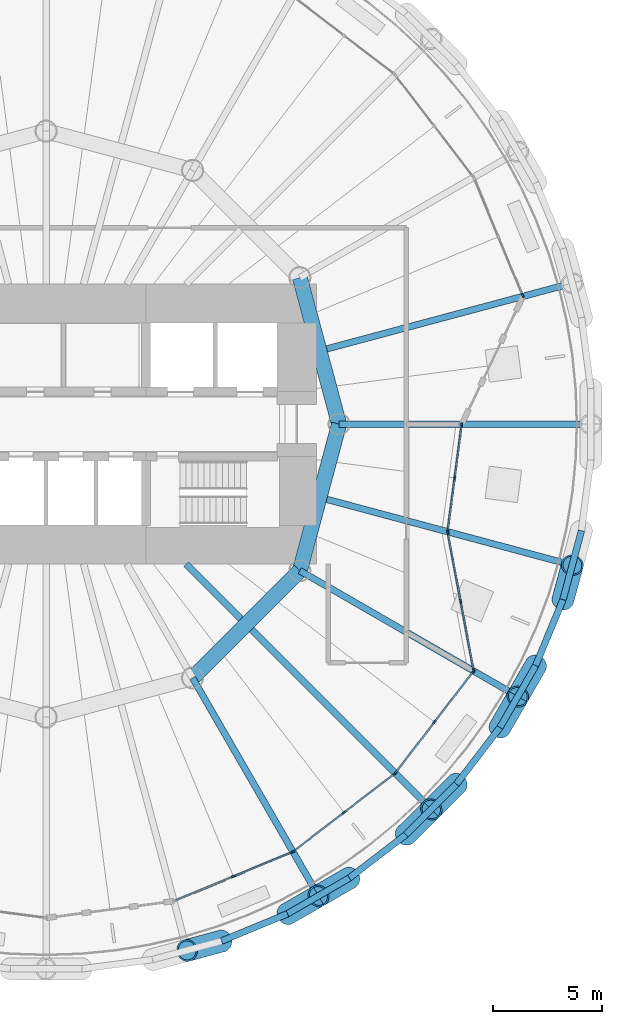
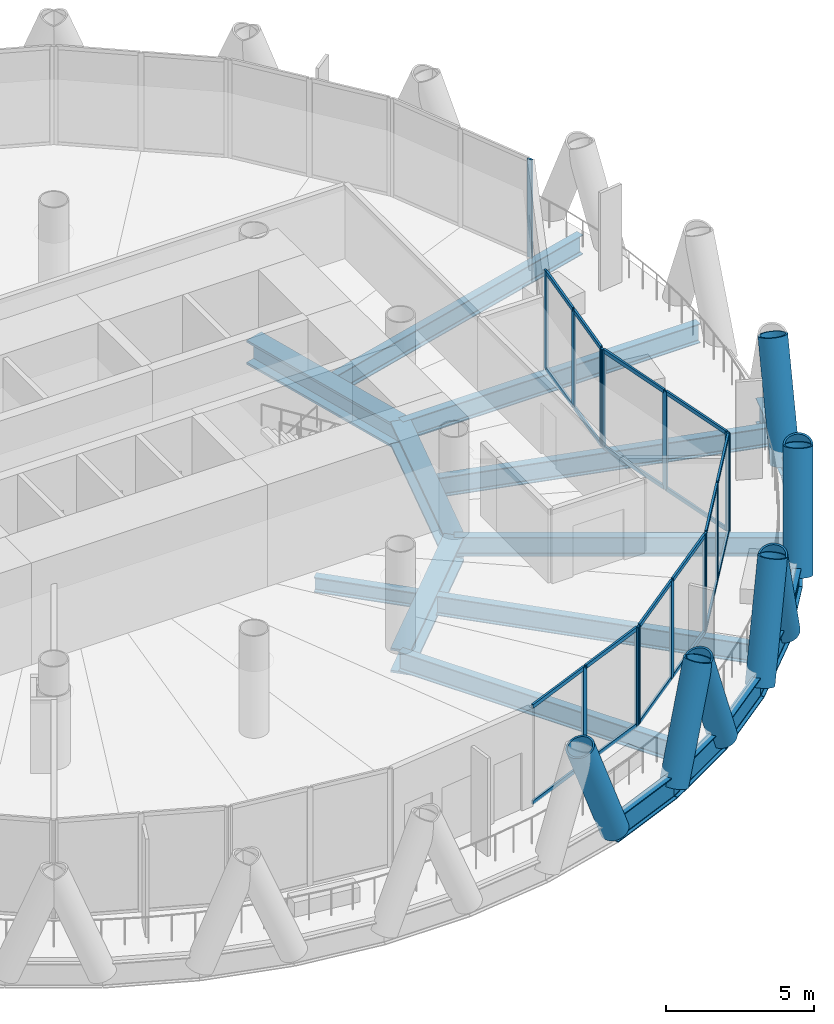
# One storey, part 4 of 15: 43 members, 18 beams, 6 elements without a shape of their own.
"""IFC4 building model written with IfcOpenShell, lengths in metres."""

from ifc_helpers import new_model, si_unit, direction, frame, origin, origin_2d, place, context, subcontext, project, spatial, rectangle, hollow_circle, i_section, extrude, material, material_profile, profile_set, type_object, element, aggregate, save


model = new_model("IFC4")

# Units and contexts
model_context = context("Model", 3, precision=1e-05, world=origin(), true_north=direction((0.0, 1.0)))
body_context = subcontext(model_context, "Body", "Model", "MODEL_VIEW")
ifc_project = project(units=[si_unit("LENGTHUNIT", "METRE"), si_unit("AREAUNIT", "SQUARE_METRE"), si_unit("VOLUMEUNIT", "CUBIC_METRE"), si_unit("PLANEANGLEUNIT", "RADIAN"), si_unit("MASSUNIT", "GRAM", prefix="KILO")], contexts=[model_context])

# Site, building, storey
site_placement = place(None, origin())
site = spatial("IfcSite", under=ifc_project, at=site_placement, CompositionType="ELEMENT")
building_placement = place(site_placement, origin())
building = spatial("IfcBuilding", under=site, at=building_placement, Name="Qaws Media Tower", CompositionType="ELEMENT")
storey_placement = place(building_placement, frame((0.0, 0.0, 122.60009765625)))
storey = spatial("IfcBuildingStorey", under=building, at=storey_placement, Name="L27", CompositionType="ELEMENT", Elevation=122.60009765625)

# Curtain wall, member
ifc_material_1 = material(Name="Aluminium and clear glass", Category="aluminium")
curtain_wall_type_1 = type_object("IfcCurtainWallType", Name="Unitised curtain wall CW-B", PredefinedType="NOTDEFINED", material=ifc_material_1)
curtain_wall_1_placement = place(storey_placement, origin())
curtain_wall_1 = element("IfcCurtainWall", 1, at=curtain_wall_1_placement, inside=storey, type_object=curtain_wall_type_1, Name="CWB curtain wall L27-02", PredefinedType="NOTDEFINED")
ifc_material_2 = material(Name="Aluminium mullion", Category="aluminium")
ifc_material_profile_1 = material_profile(ifc_material_2, rectangle(XDim=0.080078125, YDim=0.199951171875, at=origin_2d()), Name="80x200")
ifc_profile_set_1 = profile_set([ifc_material_profile_1], Name="Aluminium mullion")
member_type_1 = type_object("IfcMemberType", Name="Curtain wall mullion 80x200", PredefinedType="MULLION", material=ifc_profile_set_1)
member_1_placement = place(storey_placement, frame((81.95947265625, 55.925048828125, 0.0), z_axis=(0.0, 0.0, 1.0), x_axis=(-0.923879516221, -0.382683471693, 0.0)))
member_1 = element("IfcMember", 2, at=member_1_placement, type_object=member_type_1, Name="CWB mullion 1", PredefinedType="MULLION", context=body_context, shape_type="SweptSolid", body=[
    extrude(rectangle(XDim=0.080078125, YDim=0.199951171875, at=origin_2d()), origin(), (0.0, 0.0, 1.0), 4.039794921875),
])
aggregate(curtain_wall_1, [member_1])

# Curtain wall, members
curtain_wall_2_placement = place(storey_placement, origin())
curtain_wall_2 = element("IfcCurtainWall", 3, at=curtain_wall_2_placement, inside=storey, type_object=curtain_wall_type_1, Name="CWB curtain wall L27-20", PredefinedType="NOTDEFINED")
member_2_placement = place(storey_placement, frame((68.631591796875, 29.16162109375, 0.0), z_axis=(0.0, 0.0, 1.0), x_axis=(-0.382683471693, 0.923879516221, 0.0)))
member_2 = element("IfcMember", 4, at=member_2_placement, type_object=member_type_1, Name="CWB mullion 2", PredefinedType="MULLION", context=body_context, shape_type="SweptSolid", body=[
    extrude(rectangle(XDim=0.080078125, YDim=0.199951171875, at=origin_2d()), origin(), (0.0, 0.0, 1.0), 4.039794921875),
])
member_3_placement = place(storey_placement, frame((71.338134765625, 30.28271484375, 0.0), z_axis=(0.0, 0.0, 1.0), x_axis=(-0.382683471693, 0.923879516221, 0.0)))
member_3 = element("IfcMember", 5, at=member_3_placement, type_object=member_type_1, Name="CWB mullion 3", PredefinedType="MULLION", context=body_context, shape_type="SweptSolid", body=[
    extrude(rectangle(XDim=0.080078125, YDim=0.199951171875, at=origin_2d()), origin(), (0.0, 0.0, 1.0), 4.039794921875),
])

curtain_wall_3_placement = place(storey_placement, origin())
curtain_wall_3 = element("IfcCurtainWall", 6, at=curtain_wall_3_placement, inside=storey, type_object=curtain_wall_type_1, Name="CWB curtain wall L27-21", PredefinedType="NOTDEFINED")
member_4_placement = place(storey_placement, frame((71.40673828125, 30.322265625, 0.0), z_axis=(0.0, 0.0, 1.0), x_axis=(-0.608761486721, 0.793353296007, 0.0)))
member_4 = element("IfcMember", 7, at=member_4_placement, type_object=member_type_1, Name="CWB mullion 1", PredefinedType="MULLION", context=body_context, shape_type="SweptSolid", body=[
    extrude(rectangle(XDim=0.080078125, YDim=0.199951171875, at=origin_2d()), origin(), (0.0, 0.0, 1.0), 4.039794921875),
])
member_5_placement = place(storey_placement, frame((73.73095703125, 32.105712890625, 0.0), z_axis=(0.0, 0.0, 1.0), x_axis=(-0.608761486721, 0.793353296007, 0.0)))
member_5 = element("IfcMember", 8, at=member_5_placement, type_object=member_type_1, Name="CWB mullion 2", PredefinedType="MULLION", context=body_context, shape_type="SweptSolid", body=[
    extrude(rectangle(XDim=0.080078125, YDim=0.199951171875, at=origin_2d()), origin(), (0.0, 0.0, 1.0), 4.039794921875),
])
member_6_placement = place(storey_placement, frame((76.054931640625, 33.888916015625, 0.0), z_axis=(0.0, 0.0, 1.0), x_axis=(-0.608761486721, 0.793353296007, 0.0)))
member_6 = element("IfcMember", 9, at=member_6_placement, type_object=member_type_1, Name="CWB mullion 3", PredefinedType="MULLION", context=body_context, shape_type="SweptSolid", body=[
    extrude(rectangle(XDim=0.080078125, YDim=0.199951171875, at=origin_2d()), origin(), (0.0, 0.0, 1.0), 4.039794921875),
])

curtain_wall_4_placement = place(storey_placement, origin())
curtain_wall_4 = element("IfcCurtainWall", 10, at=curtain_wall_4_placement, inside=storey, type_object=curtain_wall_type_1, Name="CWB curtain wall L27-22", PredefinedType="NOTDEFINED")
member_7_placement = place(storey_placement, frame((76.111083984375, 33.945068359375, 0.0), z_axis=(0.0, 0.0, 1.0), x_axis=(-0.793353296007, 0.608761486721, 0.0)))
member_7 = element("IfcMember", 11, at=member_7_placement, type_object=member_type_1, Name="CWB mullion 1", PredefinedType="MULLION", context=body_context, shape_type="SweptSolid", body=[
    extrude(rectangle(XDim=0.080078125, YDim=0.199951171875, at=origin_2d()), origin(), (0.0, 0.0, 1.0), 4.039794921875),
])
member_8_placement = place(storey_placement, frame((77.894287109375, 36.26904296875, 0.0), z_axis=(0.0, 0.0, 1.0), x_axis=(-0.793353296007, 0.608761486721, 0.0)))
member_8 = element("IfcMember", 12, at=member_8_placement, type_object=member_type_1, Name="CWB mullion 2", PredefinedType="MULLION", context=body_context, shape_type="SweptSolid", body=[
    extrude(rectangle(XDim=0.080078125, YDim=0.199951171875, at=origin_2d()), origin(), (0.0, 0.0, 1.0), 4.039794921875),
])
member_9_placement = place(storey_placement, frame((79.677734375, 38.59326171875, 0.0), z_axis=(0.0, 0.0, 1.0), x_axis=(-0.793353296007, 0.608761486721, 0.0)))
member_9 = element("IfcMember", 13, at=member_9_placement, type_object=member_type_1, Name="CWB mullion 3", PredefinedType="MULLION", context=body_context, shape_type="SweptSolid", body=[
    extrude(rectangle(XDim=0.080078125, YDim=0.199951171875, at=origin_2d()), origin(), (0.0, 0.0, 1.0), 4.039794921875),
])

ifc_material_3 = material(Name="Aluminium and clear glass", Category="aluminium")
curtain_wall_type_2 = type_object("IfcCurtainWallType", Name="Loggia curtain wall CW-G", PredefinedType="NOTDEFINED", material=ifc_material_3)
curtain_wall_5_placement = place(storey_placement, origin())
curtain_wall_5 = element("IfcCurtainWall", 14, at=curtain_wall_5_placement, inside=storey, type_object=curtain_wall_type_2, Name="CWG curtain wall L27-23", PredefinedType="NOTDEFINED")
member_10_placement = place(storey_placement, frame((79.694580078125, 38.664306640625, 0.0), z_axis=(0.0, 0.0, 1.0), x_axis=(-0.982841450903, -0.184452385146, 0.0)))
member_10 = element("IfcMember", 15, at=member_10_placement, type_object=member_type_1, Name="CWG mullion 1", PredefinedType="MULLION", context=body_context, shape_type="SweptSolid", body=[
    extrude(rectangle(XDim=0.080078125, YDim=0.199951171875, at=origin_2d()), origin(), (0.0, 0.0, 1.0), 4.039794921875),
])
member_11_placement = place(storey_placement, frame((79.099853515625, 41.834228515625, 0.0), z_axis=(0.0, 0.0, 1.0), x_axis=(-0.982841450903, -0.184452385146, 0.0)))
member_11 = element("IfcMember", 16, at=member_11_placement, type_object=member_type_1, Name="CWG mullion 2", PredefinedType="MULLION", context=body_context, shape_type="SweptSolid", body=[
    extrude(rectangle(XDim=0.080078125, YDim=0.199951171875, at=origin_2d()), origin(), (0.0, 0.0, 1.0), 4.039794921875),
])
member_12_placement = place(storey_placement, frame((78.5048828125, 45.00439453125, 0.0), z_axis=(0.0, 0.0, 1.0), x_axis=(-0.982841450903, -0.184452385146, 0.0)))
member_12 = element("IfcMember", 17, at=member_12_placement, type_object=member_type_1, Name="CWG mullion 3", PredefinedType="MULLION", context=body_context, shape_type="SweptSolid", body=[
    extrude(rectangle(XDim=0.080078125, YDim=0.199951171875, at=origin_2d()), origin(), (0.0, 0.0, 1.0), 4.039794921875),
])

curtain_wall_6_placement = place(storey_placement, origin())
curtain_wall_6 = element("IfcCurtainWall", 18, at=curtain_wall_6_placement, inside=storey, type_object=curtain_wall_type_2, Name="CWG curtain wall L27-24", PredefinedType="NOTDEFINED")
member_13_placement = place(storey_placement, frame((78.502685546875, 45.083251953125, 0.0), z_axis=(0.0, 0.0, 1.0), x_axis=(-0.991444873391, 0.130526100942, 0.0)))
member_13 = element("IfcMember", 19, at=member_13_placement, type_object=member_type_1, Name="CWG mullion 1", PredefinedType="MULLION", context=body_context, shape_type="SweptSolid", body=[
    extrude(rectangle(XDim=0.080078125, YDim=0.199951171875, at=origin_2d()), origin(), (0.0, 0.0, 1.0), 4.039794921875),
])
member_14_placement = place(storey_placement, frame((78.82373046875, 47.521728515625, 0.0), z_axis=(0.0, 0.0, 1.0), x_axis=(-0.991444873391, 0.130526100942, 0.0)))
member_14 = element("IfcMember", 20, at=member_14_placement, type_object=member_type_1, Name="CWG mullion 2", PredefinedType="MULLION", context=body_context, shape_type="SweptSolid", body=[
    extrude(rectangle(XDim=0.080078125, YDim=0.199951171875, at=origin_2d()), origin(), (0.0, 0.0, 1.0), 4.039794921875),
])
member_15_placement = place(storey_placement, frame((79.144775390625, 49.96044921875, 0.0), z_axis=(0.0, 0.0, 1.0), x_axis=(-0.991444873391, 0.130526100942, 0.0)))
member_15 = element("IfcMember", 21, at=member_15_placement, type_object=member_type_1, Name="CWG mullion 3", PredefinedType="MULLION", context=body_context, shape_type="SweptSolid", body=[
    extrude(rectangle(XDim=0.080078125, YDim=0.199951171875, at=origin_2d()), origin(), (0.0, 0.0, 1.0), 4.039794921875),
])

# Member
ifc_material_4 = material(Name="Aluminium transom", Category="aluminium")
ifc_material_profile_2 = material_profile(ifc_material_4, rectangle(XDim=0.080078125, YDim=0.159912109375, at=origin_2d()), Name="80x160")
ifc_profile_set_2 = profile_set([ifc_material_profile_2], Name="Aluminium transom")
member_type_2 = type_object("IfcMemberType", Name="Curtain wall transom 80x160", PredefinedType="USERDEFINED", material=ifc_profile_set_2)
member_16_placement = place(storey_placement, frame((65.962158203125, 28.055908203125, 0.039794921875), z_axis=(0.923893613217, 0.382649436764, 0.0), x_axis=(-0.382649436764, 0.923893613217, 0.0)))
member_16 = element("IfcMember", 22, at=member_16_placement, type_object=member_type_2, Name="CWB transom 1.1", ObjectType="TRANSOM", PredefinedType="USERDEFINED", context=body_context, shape_type="SweptSolid", body=[
    extrude(rectangle(XDim=0.080078125, YDim=0.159912109375, at=origin_2d()), origin(), (0.0, 0.0, 1.0), 2.849365234375),
])

member_17_placement = place(storey_placement, frame((65.962158203125, 28.055908203125, 4.0), z_axis=(0.923893613217, 0.382649436764, 0.0), x_axis=(-0.382649436764, 0.923893613217, 0.0)))
member_17 = element("IfcMember", 23, at=member_17_placement, type_object=member_type_2, Name="CWB transom 1.2", ObjectType="TRANSOM", PredefinedType="USERDEFINED", context=body_context, shape_type="SweptSolid", body=[
    extrude(rectangle(XDim=0.080078125, YDim=0.159912109375, at=origin_2d()), origin(), (0.0, 0.0, 1.0), 2.849365234375),
])

member_18_placement = place(storey_placement, frame((68.66845703125, 29.1767578125, 0.039794921875), z_axis=(0.923863320889, 0.38272256834, 0.0), x_axis=(-0.38272256834, 0.923863320889, 0.0)))
member_18 = element("IfcMember", 24, at=member_18_placement, type_object=member_type_2, Name="CWB transom 2.1", ObjectType="TRANSOM", PredefinedType="USERDEFINED", context=body_context, shape_type="SweptSolid", body=[
    extrude(rectangle(XDim=0.080078125, YDim=0.159912109375, at=origin_2d()), origin(), (0.0, 0.0, 1.0), 2.849609375),
])

member_19_placement = place(storey_placement, frame((68.66845703125, 29.1767578125, 4.0), z_axis=(0.923863320889, 0.38272256834, 0.0), x_axis=(-0.38272256834, 0.923863320889, 0.0)))
member_19 = element("IfcMember", 25, at=member_19_placement, type_object=member_type_2, Name="CWB transom 2.2", ObjectType="TRANSOM", PredefinedType="USERDEFINED", context=body_context, shape_type="SweptSolid", body=[
    extrude(rectangle(XDim=0.080078125, YDim=0.159912109375, at=origin_2d()), origin(), (0.0, 0.0, 1.0), 2.849609375),
])

aggregate(curtain_wall_2, [member_2, member_3, member_16, member_17, member_18, member_19])

member_20_placement = place(storey_placement, frame((71.4384765625, 30.3466796875, 0.039794921875), z_axis=(0.79337187392, 0.608737274752, 0.0), x_axis=(-0.608737274752, 0.79337187392, 0.0)))
member_20 = element("IfcMember", 26, at=member_20_placement, type_object=member_type_2, Name="CWB transom 1.1", ObjectType="TRANSOM", PredefinedType="USERDEFINED", context=body_context, shape_type="SweptSolid", body=[
    extrude(rectangle(XDim=0.080078125, YDim=0.159912109375, at=origin_2d()), origin(), (0.0, 0.0, 1.0), 2.849609375),
])

member_21_placement = place(storey_placement, frame((71.4384765625, 30.3466796875, 4.0), z_axis=(0.79337187392, 0.608737274752, 0.0), x_axis=(-0.608737274752, 0.79337187392, 0.0)))
member_21 = element("IfcMember", 27, at=member_21_placement, type_object=member_type_2, Name="CWB transom 1.2", ObjectType="TRANSOM", PredefinedType="USERDEFINED", context=body_context, shape_type="SweptSolid", body=[
    extrude(rectangle(XDim=0.080078125, YDim=0.159912109375, at=origin_2d()), origin(), (0.0, 0.0, 1.0), 2.849609375),
])

member_22_placement = place(storey_placement, frame((73.7626953125, 32.1298828125, 0.039794921875), z_axis=(0.793340122008, 0.608778655024, 0.0), x_axis=(-0.608778655024, 0.793340122008, 0.0)))
member_22 = element("IfcMember", 28, at=member_22_placement, type_object=member_type_2, Name="CWB transom 2.1", ObjectType="TRANSOM", PredefinedType="USERDEFINED", context=body_context, shape_type="SweptSolid", body=[
    extrude(rectangle(XDim=0.080078125, YDim=0.159912109375, at=origin_2d()), origin(), (0.0, 0.0, 1.0), 2.849365234375),
])

member_23_placement = place(storey_placement, frame((73.7626953125, 32.1298828125, 4.0), z_axis=(0.793340122008, 0.608778655024, 0.0), x_axis=(-0.608778655024, 0.793340122008, 0.0)))
member_23 = element("IfcMember", 29, at=member_23_placement, type_object=member_type_2, Name="CWB transom 2.2", ObjectType="TRANSOM", PredefinedType="USERDEFINED", context=body_context, shape_type="SweptSolid", body=[
    extrude(rectangle(XDim=0.080078125, YDim=0.159912109375, at=origin_2d()), origin(), (0.0, 0.0, 1.0), 2.849365234375),
])

aggregate(curtain_wall_3, [member_4, member_5, member_6, member_20, member_21, member_22, member_23])

member_24_placement = place(storey_placement, frame((76.135498046875, 33.976806640625, 0.039794921875), z_axis=(0.608778655024, 0.793340122008, 0.0), x_axis=(-0.793340122008, 0.608778655024, 0.0)))
member_24 = element("IfcMember", 30, at=member_24_placement, type_object=member_type_2, Name="CWB transom 1.1", ObjectType="TRANSOM", PredefinedType="USERDEFINED", context=body_context, shape_type="SweptSolid", body=[
    extrude(rectangle(XDim=0.080078125, YDim=0.159912109375, at=origin_2d()), origin(), (0.0, 0.0, 1.0), 2.849365234375),
])

member_25_placement = place(storey_placement, frame((76.135498046875, 33.976806640625, 4.0), z_axis=(0.608778655024, 0.793340122008, 0.0), x_axis=(-0.793340122008, 0.608778655024, 0.0)))
member_25 = element("IfcMember", 31, at=member_25_placement, type_object=member_type_2, Name="CWB transom 1.2", ObjectType="TRANSOM", PredefinedType="USERDEFINED", context=body_context, shape_type="SweptSolid", body=[
    extrude(rectangle(XDim=0.080078125, YDim=0.159912109375, at=origin_2d()), origin(), (0.0, 0.0, 1.0), 2.849365234375),
])

member_26_placement = place(storey_placement, frame((77.918701171875, 36.30078125, 0.039794921875), z_axis=(0.608737274752, 0.79337187392, 0.0), x_axis=(-0.79337187392, 0.608737274752, 0.0)))
member_26 = element("IfcMember", 32, at=member_26_placement, type_object=member_type_2, Name="CWB transom 2.1", ObjectType="TRANSOM", PredefinedType="USERDEFINED", context=body_context, shape_type="SweptSolid", body=[
    extrude(rectangle(XDim=0.080078125, YDim=0.159912109375, at=origin_2d()), origin(), (0.0, 0.0, 1.0), 2.849609375),
])

member_27_placement = place(storey_placement, frame((77.918701171875, 36.30078125, 4.0), z_axis=(0.608737274752, 0.79337187392, 0.0), x_axis=(-0.79337187392, 0.608737274752, 0.0)))
member_27 = element("IfcMember", 33, at=member_27_placement, type_object=member_type_2, Name="CWB transom 2.2", ObjectType="TRANSOM", PredefinedType="USERDEFINED", context=body_context, shape_type="SweptSolid", body=[
    extrude(rectangle(XDim=0.080078125, YDim=0.159912109375, at=origin_2d()), origin(), (0.0, 0.0, 1.0), 2.849609375),
])

aggregate(curtain_wall_4, [member_7, member_8, member_9, member_24, member_25, member_26, member_27])

member_28_placement = place(storey_placement, frame((79.687255859375, 38.70361328125, 0.039794921875), z_axis=(-0.184429130939, 0.982845814795, 0.0), x_axis=(-0.982845814795, -0.184429130939, 0.0)))
member_28 = element("IfcMember", 34, at=member_28_placement, type_object=member_type_2, Name="CWG transom 1.1", ObjectType="TRANSOM", PredefinedType="USERDEFINED", context=body_context, shape_type="SweptSolid", body=[
    extrude(rectangle(XDim=0.080078125, YDim=0.159912109375, at=origin_2d()), origin(), (0.0, 0.0, 1.0), 3.145263671875),
])

member_29_placement = place(storey_placement, frame((79.687255859375, 38.70361328125, 4.0), z_axis=(-0.184429130939, 0.982845814795, 0.0), x_axis=(-0.982845814795, -0.184429130939, 0.0)))
member_29 = element("IfcMember", 35, at=member_29_placement, type_object=member_type_2, Name="CWG transom 1.2", ObjectType="TRANSOM", PredefinedType="USERDEFINED", context=body_context, shape_type="SweptSolid", body=[
    extrude(rectangle(XDim=0.080078125, YDim=0.159912109375, at=origin_2d()), origin(), (0.0, 0.0, 1.0), 3.145263671875),
])

member_30_placement = place(storey_placement, frame((79.09228515625, 41.87353515625, 0.039794921875), z_axis=(-0.184415061867, 0.982848454726, 0.0), x_axis=(-0.982848454726, -0.184415061867, 0.0)))
member_30 = element("IfcMember", 36, at=member_30_placement, type_object=member_type_2, Name="CWG transom 2.1", ObjectType="TRANSOM", PredefinedType="USERDEFINED", context=body_context, shape_type="SweptSolid", body=[
    extrude(rectangle(XDim=0.080078125, YDim=0.159912109375, at=origin_2d()), origin(), (0.0, 0.0, 1.0), 3.1455078125),
])

member_31_placement = place(storey_placement, frame((79.09228515625, 41.87353515625, 4.0), z_axis=(-0.184415061867, 0.982848454726, 0.0), x_axis=(-0.982848454726, -0.184415061867, 0.0)))
member_31 = element("IfcMember", 37, at=member_31_placement, type_object=member_type_2, Name="CWG transom 2.2", ObjectType="TRANSOM", PredefinedType="USERDEFINED", context=body_context, shape_type="SweptSolid", body=[
    extrude(rectangle(XDim=0.080078125, YDim=0.159912109375, at=origin_2d()), origin(), (0.0, 0.0, 1.0), 3.1455078125),
])

aggregate(curtain_wall_5, [member_10, member_11, member_12, member_28, member_29, member_30, member_31])

member_32_placement = place(storey_placement, frame((78.5078125, 45.123046875, 0.039794921875), z_axis=(0.130611101477, 0.991433679159, 0.0), x_axis=(-0.991433679159, 0.130611101477, 0.0)))
member_32 = element("IfcMember", 38, at=member_32_placement, type_object=member_type_2, Name="CWG transom 1.1", ObjectType="TRANSOM", PredefinedType="USERDEFINED", context=body_context, shape_type="SweptSolid", body=[
    extrude(rectangle(XDim=0.080078125, YDim=0.159912109375, at=origin_2d()), origin(), (0.0, 0.0, 1.0), 2.37939453125),
])

member_33_placement = place(storey_placement, frame((78.5078125, 45.123046875, 4.0), z_axis=(0.130611101477, 0.991433679159, 0.0), x_axis=(-0.991433679159, 0.130611101477, 0.0)))
member_33 = element("IfcMember", 39, at=member_33_placement, type_object=member_type_2, Name="CWG transom 1.2", ObjectType="TRANSOM", PredefinedType="USERDEFINED", context=body_context, shape_type="SweptSolid", body=[
    extrude(rectangle(XDim=0.080078125, YDim=0.159912109375, at=origin_2d()), origin(), (0.0, 0.0, 1.0), 2.37939453125),
])

member_34_placement = place(storey_placement, frame((78.828857421875, 47.5615234375, 0.039794921875), z_axis=(0.130611101477, 0.991433679159, 0.0), x_axis=(-0.991433679159, 0.130611101477, 0.0)))
member_34 = element("IfcMember", 40, at=member_34_placement, type_object=member_type_2, Name="CWG transom 2.1", ObjectType="TRANSOM", PredefinedType="USERDEFINED", context=body_context, shape_type="SweptSolid", body=[
    extrude(rectangle(XDim=0.080078125, YDim=0.159912109375, at=origin_2d()), origin(), (0.0, 0.0, 1.0), 2.37939453125),
])

member_35_placement = place(storey_placement, frame((78.828857421875, 47.5615234375, 4.0), z_axis=(0.130611101477, 0.991433679159, 0.0), x_axis=(-0.991433679159, 0.130611101477, 0.0)))
member_35 = element("IfcMember", 41, at=member_35_placement, type_object=member_type_2, Name="CWG transom 2.2", ObjectType="TRANSOM", PredefinedType="USERDEFINED", context=body_context, shape_type="SweptSolid", body=[
    extrude(rectangle(XDim=0.080078125, YDim=0.159912109375, at=origin_2d()), origin(), (0.0, 0.0, 1.0), 2.37939453125),
])

aggregate(curtain_wall_6, [member_13, member_14, member_15, member_32, member_33, member_34, member_35])

# Members
ifc_material_5 = material(Name="Steel S460", Category="steel")
ifc_material_profile_3 = material_profile(ifc_material_5, hollow_circle(Radius=0.508056640625, WallThickness=0.070068359375, at=origin_2d()), Name="CHS 1016x70")
ifc_profile_set_3 = profile_set([ifc_material_profile_3], Name="Steel S460")
member_type_3 = type_object("IfcMemberType", Name="Diagrid member CHS 1016x70", PredefinedType="USERDEFINED", material=ifc_profile_set_3)
for number, where, z_axis, x_axis, name in (
    (42, (71.12353515625, 27.443603515625, -0.6640625), (0.316258617899, 0.181592959618, 0.931130755384), (-0.497944003624, 0.867209184254, 0.0), "DG3 diagrid L27 A20"),
    (43, (68.084228515625, 26.184814453125, -0.6640625), (-0.352036246678, -0.095207834857, 0.931131542375), (0.261069767138, -0.965319934885, 0.0), "DG3 diagrid L27 B20"),
    (44, (76.58251953125, 31.09130859375, -0.6640625), (0.258453884891, 0.257263102594, 0.931137629692), (-0.705472202332, 0.708737590182, 0.0), "DG3 diagrid L27 A21"),
    (45, (73.97265625, 29.088623046875, -0.6640625), (-0.315391702695, -0.183107968117, 0.931128103906), (0.502088970848, -0.864815971957, 0.0), "DG3 diagrid L27 B21"),
    (46, (80.911376953125, 36.02734375, -0.6640625), (0.183107968117, 0.315391702695, 0.931128103906), (-0.864815971957, 0.502088970848, 0.0), "DG3 diagrid L27 A22"),
    (47, (78.90869140625, 33.41748046875, -0.6640625), (-0.257263102594, -0.258453884891, 0.931137629692), (0.708737590182, -0.705472202332, 0.0), "DG3 diagrid L27 B22"),
    (48, (83.815185546875, 41.915771484375, -0.6640625), (0.095207834857, 0.352036246678, 0.931131542375), (-0.965319934885, 0.261069767138, 0.0), "DG3 diagrid L27 A23"),
    (49, (82.556396484375, 38.87646484375, -0.6640625), (-0.181592959618, -0.316258617899, 0.931130755384), (0.867209184254, -0.497944003624, 0.0), "DG3 diagrid L27 B23"),
):
    element("IfcMember", number, at=place(storey_placement, frame(where, z_axis=z_axis, x_axis=x_axis)), inside=storey, type_object=member_type_3, Name=name, ObjectType="DIAGRID", PredefinedType="USERDEFINED", context=body_context, shape_type="SweptSolid", body=[
        extrude(hollow_circle(Radius=0.508056640625, WallThickness=0.070068359375, at=origin_2d()), origin(), (0.0, 0.0, 1.0), 4.510498046875),
    ])

# Beams
ifc_material_6 = material(Name="Steel S460", Category="steel")
ifc_material_profile_4 = material_profile(ifc_material_6, i_section(OverallWidth=0.302001953125, OverallDepth=1.008056640625, WebThickness=0.02099609375, FlangeThickness=0.0400390625, FilletRadius=0.030029296875, at=origin_2d()), Name="HE 1000 M")
ifc_profile_set_4 = profile_set([ifc_material_profile_4], Name="Steel S460")
beam_type_1 = type_object("IfcBeamType", Name="Edge ring beam HE 1000 M", PredefinedType="BEAM", material=ifc_profile_set_4)
beam_1_placement = place(storey_placement, frame((68.084228515625, 26.184814453125, -0.6640625), z_axis=(0.923893822469, 0.382648931533, 0.0), x_axis=(-0.382648931533, 0.923893822469, 0.0)))
element("IfcBeam", 50, at=beam_1_placement, inside=storey, type_object=beam_type_1, Name="RB3 edge ring beam L27-39", PredefinedType="BEAM", context=body_context, shape_type="SweptSolid", body=[
    extrude(i_section(OverallWidth=0.302001953125, OverallDepth=1.008056640625, WebThickness=0.02099609375, FlangeThickness=0.0400390625, FilletRadius=0.030029296875, at=origin_2d()), origin(), (0.0, 0.0, 1.0), 3.28955078125),
])
beam_2_placement = place(storey_placement, frame((71.12353515625, 27.443603515625, -0.6640625), z_axis=(0.866015045157, 0.50001794124, 0.0), x_axis=(-0.50001794124, 0.866015045157, 0.0)))
element("IfcBeam", 51, at=beam_2_placement, inside=storey, type_object=beam_type_1, Name="RB3 edge ring beam L27-40", PredefinedType="BEAM", context=body_context, shape_type="SweptSolid", body=[
    extrude(i_section(OverallWidth=0.302001953125, OverallDepth=1.008056640625, WebThickness=0.02099609375, FlangeThickness=0.0400390625, FilletRadius=0.030029296875, at=origin_2d()), origin(), (0.0, 0.0, 1.0), 3.2900390625),
])
for number, where, z_axis, x_axis, name in (
    (52, (73.97265625, 29.088623046875, -0.6640625), (0.793343501496, 0.608774250961, 0.0), (-0.608774250961, 0.793343501496, 0.0), "RB3 edge ring beam L27-41"),
    (53, (76.58251953125, 31.09130859375, -0.6640625), (0.707106781187, 0.707106781187, 0.0), (-0.707106781187, 0.707106781187, 0.0), "RB3 edge ring beam L27-42"),
    (54, (78.90869140625, 33.41748046875, -0.6640625), (0.608774250961, 0.793343501496, 0.0), (-0.793343501496, 0.608774250961, 0.0), "RB3 edge ring beam L27-43"),
):
    element("IfcBeam", number, at=place(storey_placement, frame(where, z_axis=z_axis, x_axis=x_axis)), inside=storey, type_object=beam_type_1, Name=name, PredefinedType="BEAM", context=body_context, shape_type="SweptSolid", body=[
        extrude(i_section(OverallWidth=0.302001953125, OverallDepth=1.008056640625, WebThickness=0.02099609375, FlangeThickness=0.0400390625, FilletRadius=0.030029296875, at=origin_2d()), origin(), (0.0, 0.0, 1.0), 3.289794921875),
    ])
beam_3_placement = place(storey_placement, frame((80.911376953125, 36.02734375, -0.6640625), z_axis=(0.50001794124, 0.866015045157, 0.0), x_axis=(-0.866015045157, 0.50001794124, 0.0)))
element("IfcBeam", 55, at=beam_3_placement, inside=storey, type_object=beam_type_1, Name="RB3 edge ring beam L27-44", PredefinedType="BEAM", context=body_context, shape_type="SweptSolid", body=[
    extrude(i_section(OverallWidth=0.302001953125, OverallDepth=1.008056640625, WebThickness=0.02099609375, FlangeThickness=0.0400390625, FilletRadius=0.030029296875, at=origin_2d()), origin(), (0.0, 0.0, 1.0), 3.2900390625),
])
beam_4_placement = place(storey_placement, frame((82.556396484375, 38.87646484375, -0.6640625), z_axis=(0.382648931533, 0.923893822469, 0.0), x_axis=(-0.923893822469, 0.382648931533, 0.0)))
element("IfcBeam", 56, at=beam_4_placement, inside=storey, type_object=beam_type_1, Name="RB3 edge ring beam L27-45", PredefinedType="BEAM", context=body_context, shape_type="SweptSolid", body=[
    extrude(i_section(OverallWidth=0.302001953125, OverallDepth=1.008056640625, WebThickness=0.02099609375, FlangeThickness=0.0400390625, FilletRadius=0.030029296875, at=origin_2d()), origin(), (0.0, 0.0, 1.0), 3.28955078125),
])
beam_5_placement = place(storey_placement, frame((83.815185546875, 41.915771484375, -0.6640625), z_axis=(0.258844892706, 0.965918900074, 0.0), x_axis=(-0.965918900074, 0.258844892706, 0.0)))
element("IfcBeam", 57, at=beam_5_placement, inside=storey, type_object=beam_type_1, Name="RB3 edge ring beam L27-46", PredefinedType="BEAM", context=body_context, shape_type="SweptSolid", body=[
    extrude(i_section(OverallWidth=0.302001953125, OverallDepth=1.008056640625, WebThickness=0.02099609375, FlangeThickness=0.0400390625, FilletRadius=0.030029296875, at=origin_2d()), origin(), (0.0, 0.0, 1.0), 3.289794921875),
])
ifc_material_7 = material(Name="Steel S460", Category="steel")
ifc_material_profile_5 = material_profile(ifc_material_7, i_section(OverallWidth=0.699951171875, OverallDepth=1.0, WebThickness=0.034912109375, FlangeThickness=0.090087890625, at=origin_2d()), Name="PG 1000x700")
ifc_profile_set_5 = profile_set([ifc_material_profile_5], Name="Steel S460")
beam_type_2 = type_object("IfcBeamType", Name="Inner ring girder PG 1000x700", PredefinedType="BEAM", material=ifc_profile_set_5)
beam_6_placement = place(storey_placement, frame((73.5, 50.0, -0.66015625), z_axis=(-0.258810593767, 0.965928090778, 0.0), x_axis=(-0.965928090778, -0.258810593767, 0.0)))
element("IfcBeam", 58, at=beam_6_placement, inside=storey, type_object=beam_type_2, Name="B3 inner ring beam L27 I01-I02", PredefinedType="BEAM", context=body_context, shape_type="SweptSolid", body=[
    extrude(i_section(OverallWidth=0.699951171875, OverallDepth=1.0, WebThickness=0.034912109375, FlangeThickness=0.090087890625, at=origin_2d()), origin(), (0.0, 0.0, 1.0), 6.988037109375),
])
beam_7_placement = place(storey_placement, frame((66.75, 38.30859375, -0.66015625), z_axis=(0.707106781187, 0.707106781187, 0.0), x_axis=(-0.707106781187, 0.707106781187, 0.0)))
element("IfcBeam", 59, at=beam_7_placement, inside=storey, type_object=beam_type_2, Name="B3 inner ring beam L27 I11-I12", PredefinedType="BEAM", context=body_context, shape_type="SweptSolid", body=[
    extrude(i_section(OverallWidth=0.699951171875, OverallDepth=1.0, WebThickness=0.034912109375, FlangeThickness=0.090087890625, at=origin_2d()), origin(), (0.0, 0.0, 1.0), 6.98828125),
])
beam_8_placement = place(storey_placement, frame((71.69140625, 43.25, -0.66015625), z_axis=(0.258810593767, 0.965928090778, 0.0), x_axis=(-0.965928090778, 0.258810593767, 0.0)))
element("IfcBeam", 60, at=beam_8_placement, inside=storey, type_object=beam_type_2, Name="B3 inner ring beam L27 I12-I01", PredefinedType="BEAM", context=body_context, shape_type="SweptSolid", body=[
    extrude(i_section(OverallWidth=0.699951171875, OverallDepth=1.0, WebThickness=0.034912109375, FlangeThickness=0.090087890625, at=origin_2d()), origin(), (0.0, 0.0, 1.0), 6.988037109375),
])
ifc_material_8 = material(Name="Steel S355", Category="steel")
ifc_material_profile_6 = material_profile(ifc_material_8, i_section(OverallWidth=0.304931640625, OverallDepth=0.6201171875, WebThickness=0.02099609375, FlangeThickness=0.0400390625, FilletRadius=0.027099609375, at=origin_2d()), Name="HE 600 M")
ifc_profile_set_6 = profile_set([ifc_material_profile_6], Name="Steel S355")
beam_type_3 = type_object("IfcBeamType", Name="Radial beam HE 600 M, core side", PredefinedType="BEAM", material=ifc_profile_set_6)
beam_9_placement = place(storey_placement, frame((66.449951171875, 43.550048828125, -0.47021484375), z_axis=(0.707106781187, -0.707106781187, 0.0), x_axis=(0.707106781187, 0.707106781187, 0.0)))
element("IfcBeam", 61, at=beam_9_placement, inside=storey, type_object=beam_type_3, Name="B2 radial beam L27 22", PredefinedType="BEAM", context=body_context, shape_type="SweptSolid", body=[
    extrude(i_section(OverallWidth=0.304931640625, OverallDepth=0.6201171875, WebThickness=0.02099609375, FlangeThickness=0.0400390625, FilletRadius=0.027099609375, at=origin_2d()), origin(), (0.0, 0.0, 1.0), 3.568359375),
])
ifc_material_9 = material(Name="Steel S355", Category="steel")
ifc_material_profile_7 = material_profile(ifc_material_9, i_section(OverallWidth=0.300048828125, OverallDepth=0.800048828125, WebThickness=0.017578125, FlangeThickness=0.032958984375, FilletRadius=0.030029296875, at=origin_2d()), Name="HE 800 B")
ifc_profile_set_7 = profile_set([ifc_material_profile_7], Name="Steel S355")
beam_type_4 = type_object("IfcBeamType", Name="Radial beam HE 800 B", PredefinedType="BEAM", material=ifc_profile_set_7)
beam_10_placement = place(storey_placement, frame((73.5, 50.0, -0.56005859375), z_axis=(1.0, 0.0, 0.0), x_axis=(0.0, 1.0, 0.0)))
element("IfcBeam", 62, at=beam_10_placement, inside=storey, type_object=beam_type_4, Name="B1 radial beam L27 01", PredefinedType="BEAM", context=body_context, shape_type="SweptSolid", body=[
    extrude(i_section(OverallWidth=0.300048828125, OverallDepth=0.800048828125, WebThickness=0.017578125, FlangeThickness=0.032958984375, FilletRadius=0.030029296875, at=origin_2d()), origin(), (0.0, 0.0, 1.0), 11.59619140625),
])
beam_11_placement = place(storey_placement, frame((72.933837890625, 53.465576171875, -0.56005859375), z_axis=(0.965924777737, 0.258822958322, 0.0), x_axis=(-0.258822958322, 0.965924777737, 0.0)))
element("IfcBeam", 63, at=beam_11_placement, inside=storey, type_object=beam_type_4, Name="B1 radial beam L27 02", PredefinedType="BEAM", context=body_context, shape_type="SweptSolid", body=[
    extrude(i_section(OverallWidth=0.300048828125, OverallDepth=0.800048828125, WebThickness=0.017578125, FlangeThickness=0.032958984375, FilletRadius=0.030029296875, at=origin_2d()), origin(), (0.0, 0.0, 1.0), 11.7060546875),
])
beam_12_placement = place(storey_placement, frame((66.75, 38.30859375, -0.56005859375), z_axis=(0.500004326958, -0.8660229056, 0.0), x_axis=(0.8660229056, 0.500004326958, 0.0)))
element("IfcBeam", 64, at=beam_12_placement, inside=storey, type_object=beam_type_4, Name="B1 radial beam L27 21", PredefinedType="BEAM", context=body_context, shape_type="SweptSolid", body=[
    extrude(i_section(OverallWidth=0.300048828125, OverallDepth=0.800048828125, WebThickness=0.017578125, FlangeThickness=0.032958984375, FilletRadius=0.030029296875, at=origin_2d()), origin(), (0.0, 0.0, 1.0), 11.59619140625),
])
beam_13_placement = place(storey_placement, frame((69.46826171875, 40.53173828125, -0.56005859375), z_axis=(0.707106781187, -0.707106781187, 0.0), x_axis=(0.707106781187, 0.707106781187, 0.0)))
element("IfcBeam", 65, at=beam_13_placement, inside=storey, type_object=beam_type_4, Name="B1 radial beam L27 22", PredefinedType="BEAM", context=body_context, shape_type="SweptSolid", body=[
    extrude(i_section(OverallWidth=0.300048828125, OverallDepth=0.800048828125, WebThickness=0.017578125, FlangeThickness=0.032958984375, FilletRadius=0.030029296875, at=origin_2d()), origin(), (0.0, 0.0, 1.0), 11.705810546875),
])
beam_14_placement = place(storey_placement, frame((71.69140625, 43.25, -0.56005859375), z_axis=(0.8660229056, -0.500004326958, 0.0), x_axis=(0.500004326958, 0.8660229056, 0.0)))
element("IfcBeam", 66, at=beam_14_placement, inside=storey, type_object=beam_type_4, Name="B1 radial beam L27 23", PredefinedType="BEAM", context=body_context, shape_type="SweptSolid", body=[
    extrude(i_section(OverallWidth=0.300048828125, OverallDepth=0.800048828125, WebThickness=0.017578125, FlangeThickness=0.032958984375, FilletRadius=0.030029296875, at=origin_2d()), origin(), (0.0, 0.0, 1.0), 11.59619140625),
])
beam_15_placement = place(storey_placement, frame((72.933837890625, 46.534423828125, -0.56005859375), z_axis=(0.965924777737, -0.258822958322, 0.0), x_axis=(0.258822958322, 0.965924777737, 0.0)))
element("IfcBeam", 67, at=beam_15_placement, inside=storey, type_object=beam_type_4, Name="B1 radial beam L27 24", PredefinedType="BEAM", context=body_context, shape_type="SweptSolid", body=[
    extrude(i_section(OverallWidth=0.300048828125, OverallDepth=0.800048828125, WebThickness=0.017578125, FlangeThickness=0.032958984375, FilletRadius=0.030029296875, at=origin_2d()), origin(), (0.0, 0.0, 1.0), 11.7060546875),
])

save(model, "model.ifc")
